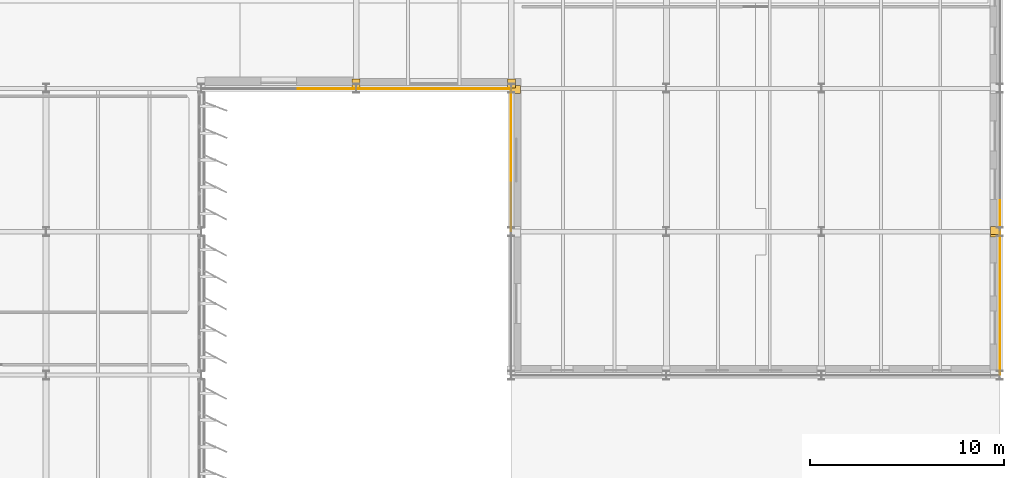
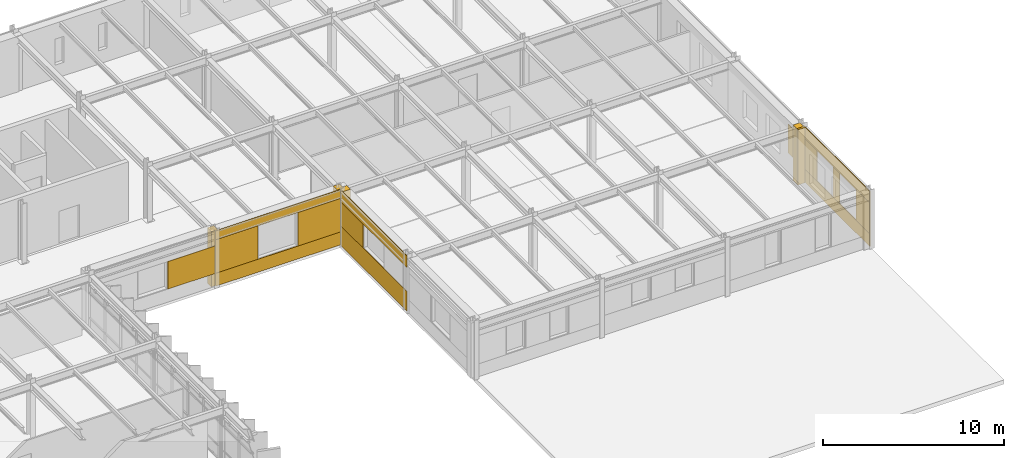
# One storey, part 54 of 56: 19 coverings.
"""IFC4 building model written with IfcOpenShell, lengths in metres."""

from ifc_helpers import new_model, si_unit, direction, frame, frame_2d, origin, origin_2d, place, context, subcontext, project, spatial, rectangle, extrude, material, layer, layer_set, type_object, element, save


model = new_model("IFC4")

# Units and contexts
model_context = context("Model", 3, precision=1e-05, world=origin(), true_north=direction((0.0, 1.0)))
body_context = subcontext(model_context, "Body", "Model", "MODEL_VIEW")
ifc_project = project(units=[si_unit("LENGTHUNIT", "METRE"), si_unit("AREAUNIT", "SQUARE_METRE"), si_unit("VOLUMEUNIT", "CUBIC_METRE"), si_unit("PLANEANGLEUNIT", "RADIAN"), si_unit("MASSUNIT", "GRAM", prefix="KILO")], contexts=[model_context])

# Site, building, storey
site_placement = place(None, origin())
site = spatial("IfcSite", under=ifc_project, at=site_placement, CompositionType="ELEMENT")
building_placement = place(site_placement, origin())
building = spatial("IfcBuilding", under=site, at=building_placement, Name="Valkorina Park Police Headquarters", CompositionType="ELEMENT")
storey_placement = place(building_placement, frame((0.0, 0.0, 14.10009765625)))
storey = spatial("IfcBuildingStorey", under=building, at=storey_placement, Name="L04", CompositionType="ELEMENT", Elevation=14.10009765625)

# Coverings
ifc_material = material(Name="Precast concrete C40/50", Category="concrete")
ifc_layer = layer(ifc_material, 0.044921875)
ifc_layer_set = layer_set([ifc_layer], Name="Precast concrete C40/50")
covering_type = type_object("IfcCoveringType", Name="COV-CLAD-DOLOMITE", PredefinedType="CLADDING", material=ifc_layer_set)
covering_1_placement = place(storey_placement, frame((161.75, 51.864990234375, 0.0), z_axis=(0.0, 0.0, 1.0), x_axis=(0.0, 1.0, 0.0)))
element("IfcCovering", 1, at=covering_1_placement, inside=storey, type_object=covering_type, Name="L04 Exterior Joint Closure Pilaster B 2322", PredefinedType="CLADDING", context=body_context, shape_type="SweptSolid", body=[
    extrude(rectangle(XDim=0.419921875, YDim=0.449951171875, at=origin_2d()), origin(), (0.0, 0.0, 1.0), 3.719970703125),
])
covering_2_placement = place(storey_placement, frame((162.014892578125, 53.427490234375, 0.869873046875), z_axis=(0.0, 0.0, 1.0), x_axis=(0.0, -1.0, 0.0)))
element("IfcCovering", 2, at=covering_2_placement, inside=storey, type_object=covering_type, Name="L04 Calm Concrete Base Slot Pier 2327", PredefinedType="CLADDING", context=body_context, shape_type="SweptSolid", body=[
    extrude(rectangle(XDim=1.607421875, YDim=0.044921875, at=frame_2d((0.8037109375, 0.0))), origin(), (0.0, 0.0, 1.0), 1.909912109375),
])
covering_3_placement = place(storey_placement, frame((161.75, 51.735107421875, 0.0), z_axis=(0.0, 0.0, 1.0), x_axis=(0.0, 1.0, 0.0)))
element("IfcCovering", 3, at=covering_3_placement, inside=storey, type_object=covering_type, Name="L04 Exterior Joint Closure Pilaster A 2328", PredefinedType="CLADDING", context=body_context, shape_type="SweptSolid", body=[
    extrude(rectangle(XDim=0.419921875, YDim=0.449951171875, at=origin_2d()), origin(), (0.0, 0.0, 1.0), 3.719970703125),
])
covering_4_placement = place(storey_placement, frame((162.014892578125, 51.780029296875, 0.0), z_axis=(0.0, 0.0, 1.0), x_axis=(0.0, -1.0, 0.0)))
element("IfcCovering", 4, at=covering_4_placement, inside=storey, type_object=covering_type, Name="L04 Calm Concrete Base Sill Spandrel 2330", PredefinedType="CLADDING", context=body_context, shape_type="SweptSolid", body=[
    extrude(rectangle(XDim=7.360107421875, YDim=0.044921875, at=frame_2d((3.68017578125, 0.0))), origin(), (0.0, 0.0, 1.0), 0.869873046875),
])
covering_5_placement = place(storey_placement, frame((162.014892578125, 51.780029296875, 2.929931640625), z_axis=(0.0, 0.0, 1.0), x_axis=(0.0, -1.0, 0.0)))
element("IfcCovering", 5, at=covering_5_placement, inside=storey, type_object=covering_type, Name="L04 Calm Concrete Base Lintel Spandrel 2331", PredefinedType="CLADDING", context=body_context, shape_type="SweptSolid", body=[
    extrude(rectangle(XDim=7.360107421875, YDim=0.044921875, at=frame_2d((3.68017578125, 0.0))), origin(), (0.0, 0.0, 1.0), 0.7900390625),
])
covering_6_placement = place(storey_placement, frame((162.014892578125, 51.780029296875, 0.869873046875), z_axis=(0.0, 0.0, 1.0), x_axis=(0.0, -1.0, 0.0)))
element("IfcCovering", 6, at=covering_6_placement, inside=storey, type_object=covering_type, Name="L04 Calm Concrete Base Slot Pier 2332", PredefinedType="CLADDING", context=body_context, shape_type="SweptSolid", body=[
    extrude(rectangle(XDim=1.53271484375, YDim=0.044921875, at=frame_2d((0.766357421875, 0.0))), origin(), (0.0, 0.0, 1.0), 2.06005859375),
])
covering_7_placement = place(storey_placement, frame((162.014892578125, 48.447509765625, 0.869873046875), z_axis=(0.0, 0.0, 1.0), x_axis=(0.0, -1.0, 0.0)))
element("IfcCovering", 7, at=covering_7_placement, inside=storey, type_object=covering_type, Name="L04 Calm Concrete Base Slot Pier 2333", PredefinedType="CLADDING", context=body_context, shape_type="SweptSolid", body=[
    extrude(rectangle(XDim=0.69482421875, YDim=0.044921875, at=frame_2d((0.347412109375, 0.0))), origin(), (0.0, 0.0, 1.0), 2.06005859375),
])
covering_8_placement = place(storey_placement, frame((162.014892578125, 45.95263671875, 0.869873046875), z_axis=(0.0, 0.0, 1.0), x_axis=(0.0, -1.0, 0.0)))
element("IfcCovering", 8, at=covering_8_placement, inside=storey, type_object=covering_type, Name="L04 Calm Concrete Base Slot Pier 2334", PredefinedType="CLADDING", context=body_context, shape_type="SweptSolid", body=[
    extrude(rectangle(XDim=1.53271484375, YDim=0.044921875, at=frame_2d((0.766357421875, 0.0))), origin(), (0.0, 0.0, 1.0), 2.06005859375),
])
covering_9_placement = place(storey_placement, frame((137.050048828125, 59.135009765625, 0.0), z_axis=(0.0, 0.0, 1.0), x_axis=(0.0, 1.0, 0.0)))
element("IfcCovering", 9, at=covering_9_placement, inside=storey, type_object=covering_type, Name="L04 Exterior Joint Closure Pilaster B 2359", PredefinedType="CLADDING", context=body_context, shape_type="SweptSolid", body=[
    extrude(rectangle(XDim=0.419921875, YDim=0.449951171875, at=origin_2d()), origin(), (0.0, 0.0, 1.0), 3.719970703125),
])
covering_10_placement = place(storey_placement, frame((136.784912109375, 51.820068359375, 0.0), z_axis=(0.0, 0.0, 1.0), x_axis=(0.0, 1.0, 0.0)))
element("IfcCovering", 10, at=covering_10_placement, inside=storey, type_object=covering_type, Name="L04 Calm Concrete Base Sill Spandrel 2360", PredefinedType="CLADDING", context=body_context, shape_type="SweptSolid", body=[
    extrude(rectangle(XDim=7.35986328125, YDim=0.044921875, at=frame_2d((3.679931640625, 0.0))), origin(), (0.0, 0.0, 1.0), 1.31982421875),
])
covering_11_placement = place(storey_placement, frame((136.784912109375, 51.820068359375, 2.929931640625), z_axis=(0.0, 0.0, 1.0), x_axis=(0.0, 1.0, 0.0)))
element("IfcCovering", 11, at=covering_11_placement, inside=storey, type_object=covering_type, Name="L04 Calm Concrete Base Lintel Spandrel 2361", PredefinedType="CLADDING", context=body_context, shape_type="SweptSolid", body=[
    extrude(rectangle(XDim=7.35986328125, YDim=0.044921875, at=frame_2d((3.679931640625, 0.0))), origin(), (0.0, 0.0, 1.0), 0.7900390625),
])
covering_12_placement = place(storey_placement, frame((136.784912109375, 56.675048828125, 1.31982421875), z_axis=(0.0, 0.0, 1.0), x_axis=(0.0, 1.0, 0.0)))
element("IfcCovering", 12, at=covering_12_placement, inside=storey, type_object=covering_type, Name="L04 Calm Concrete Base Slot Pier 2363", PredefinedType="CLADDING", context=body_context, shape_type="SweptSolid", body=[
    extrude(rectangle(XDim=2.5048828125, YDim=0.044921875, at=frame_2d((1.25244140625, 0.0))), origin(), (0.0, 0.0, 1.0), 1.610107421875),
])
for number, where, z_axis, x_axis, name in (
    (13, (136.81005859375, 59.449951171875, 0.0), (0.0, 0.0, 1.0), (1.0, 0.0, 0.0), "L04 Exterior Joint Closure Pilaster A 2364"),
    (14, (128.7900390625, 59.449951171875, 0.0), (0.0, 0.0, 1.0), (1.0, 0.0, 0.0), "L04 Exterior Joint Closure Pilaster B 2365"),
):
    element("IfcCovering", number, at=place(storey_placement, frame(where, z_axis=z_axis, x_axis=x_axis)), inside=storey, type_object=covering_type, Name=name, PredefinedType="CLADDING", context=body_context, shape_type="SweptSolid", body=[
        extrude(rectangle(XDim=0.419921875, YDim=0.449951171875, at=origin_2d()), origin(), (0.0, 0.0, 1.0), 3.719970703125),
    ])
covering_13_placement = place(storey_placement, frame((136.780029296875, 59.18505859375, 0.0), z_axis=(0.0, 0.0, 1.0), x_axis=(-1.0, 0.0, 0.0)))
element("IfcCovering", 15, at=covering_13_placement, inside=storey, type_object=covering_type, Name="L04 Calm Concrete Base Sill Spandrel 2366", PredefinedType="CLADDING", context=body_context, shape_type="SweptSolid", body=[
    extrude(rectangle(XDim=7.9599609375, YDim=0.044921875, at=frame_2d((3.97998046875, 0.0))), origin(), (0.0, 0.0, 1.0), 0.869873046875),
])
covering_14_placement = place(storey_placement, frame((136.780029296875, 59.18505859375, 3.1298828125), z_axis=(0.0, 0.0, 1.0), x_axis=(-1.0, 0.0, 0.0)))
element("IfcCovering", 16, at=covering_14_placement, inside=storey, type_object=covering_type, Name="L04 Calm Concrete Base Lintel Spandrel 2367", PredefinedType="CLADDING", context=body_context, shape_type="SweptSolid", body=[
    extrude(rectangle(XDim=7.9599609375, YDim=0.044921875, at=frame_2d((3.97998046875, 0.0))), origin(), (0.0, 0.0, 1.0), 0.590087890625),
])
covering_15_placement = place(storey_placement, frame((136.780029296875, 59.18505859375, 0.869873046875), z_axis=(0.0, 0.0, 1.0), x_axis=(-1.0, 0.0, 0.0)))
element("IfcCovering", 17, at=covering_15_placement, inside=storey, type_object=covering_type, Name="L04 Calm Concrete Base Slot Pier 2368", PredefinedType="CLADDING", context=body_context, shape_type="SweptSolid", body=[
    extrude(rectangle(XDim=2.705078125, YDim=0.044921875, at=frame_2d((1.3525390625, 0.0))), origin(), (0.0, 0.0, 1.0), 2.260009765625),
])
covering_16_placement = place(storey_placement, frame((131.52490234375, 59.18505859375, 0.869873046875), z_axis=(0.0, 0.0, 1.0), x_axis=(-1.0, 0.0, 0.0)))
element("IfcCovering", 18, at=covering_16_placement, inside=storey, type_object=covering_type, Name="L04 Calm Concrete Base Slot Pier 2369", PredefinedType="CLADDING", context=body_context, shape_type="SweptSolid", body=[
    extrude(rectangle(XDim=2.704833984375, YDim=0.044921875, at=frame_2d((1.3525390625, 0.0))), origin(), (0.0, 0.0, 1.0), 2.260009765625),
])
covering_17_placement = place(storey_placement, frame((128.780029296875, 59.18505859375, 0.869873046875), z_axis=(0.0, 0.0, 1.0), x_axis=(-1.0, 0.0, 0.0)))
element("IfcCovering", 19, at=covering_17_placement, inside=storey, type_object=covering_type, Name="L04 Calm Concrete Base Slot Pier 2373", PredefinedType="CLADDING", context=body_context, shape_type="SweptSolid", body=[
    extrude(rectangle(XDim=3.005126953125, YDim=0.044921875, at=frame_2d((1.50244140625, 0.0))), origin(), (0.0, 0.0, 1.0), 1.860107421875),
])

save(model, "model.ifc")
